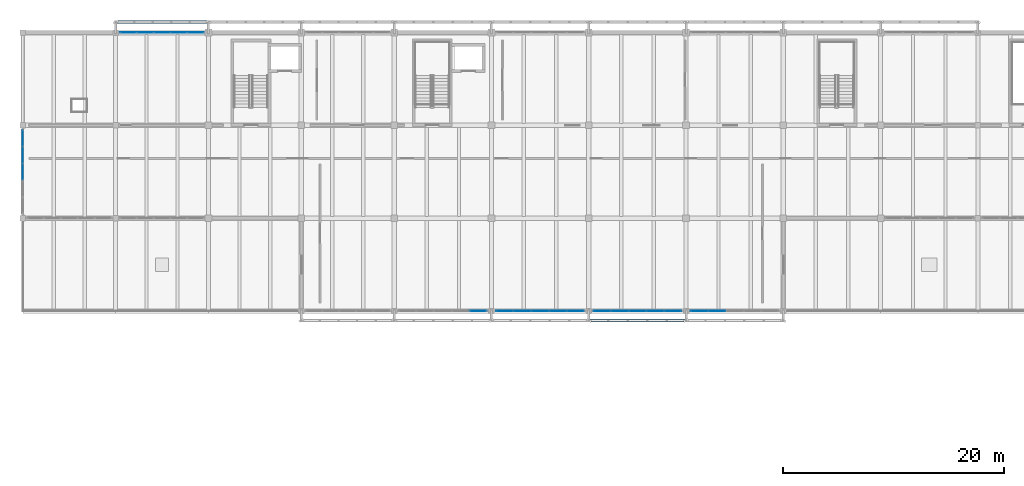
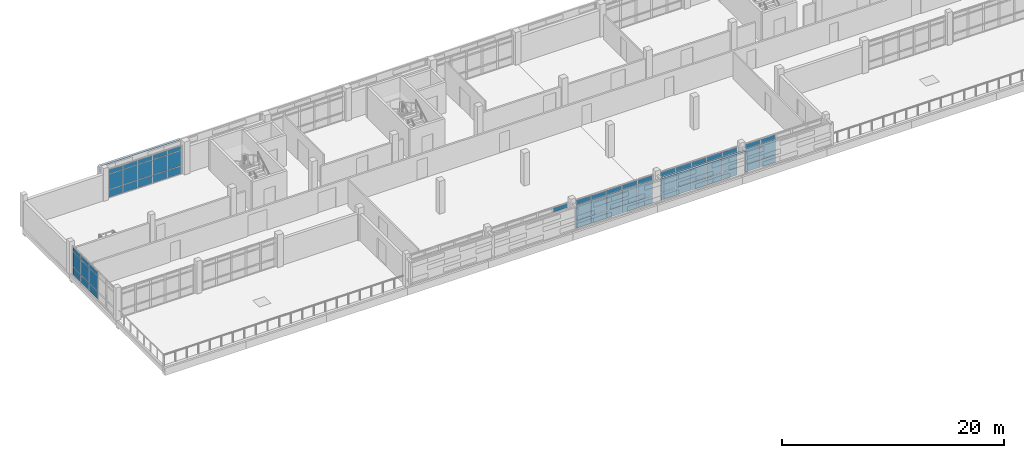
# One storey, part 38 of 50: 63 plates, 6 elements without a shape of their own.
"""IFC4 building model written with IfcOpenShell, lengths in metres."""

from ifc_helpers import new_model, si_unit, direction, frame, origin, origin_2d, place, context, subcontext, project, spatial, rectangle, extrude, material, layer, layer_set, type_object, element, aggregate, save


model = new_model("IFC4")

# Units and contexts
model_context = context("Model", 3, precision=1e-05, world=origin(), true_north=direction((0.0, 1.0)))
body_context = subcontext(model_context, "Body", "Model", "MODEL_VIEW")
ifc_project = project(units=[si_unit("LENGTHUNIT", "METRE"), si_unit("AREAUNIT", "SQUARE_METRE"), si_unit("VOLUMEUNIT", "CUBIC_METRE"), si_unit("PLANEANGLEUNIT", "RADIAN"), si_unit("MASSUNIT", "GRAM", prefix="KILO")], contexts=[model_context])

# Site, building, storey
site_placement = place(None, origin())
site = spatial("IfcSite", under=ifc_project, at=site_placement, CompositionType="ELEMENT")
building_placement = place(site_placement, origin())
building = spatial("IfcBuilding", under=site, at=building_placement, Name="Cinderway Yard Community Centre", CompositionType="ELEMENT")
storey_placement = place(building_placement, frame((0.0, 0.0, 12.89990234375)))
storey = spatial("IfcBuildingStorey", under=building, at=storey_placement, Name="L03", CompositionType="ELEMENT", Elevation=12.89990234375)

# Curtain wall, plates
ifc_material_1 = material(Name="Aluminium 6063-T6", Category="aluminium")
curtain_wall_type_1 = type_object("IfcCurtainWallType", Name="ENV-CW-TYPE-32", PredefinedType="USERDEFINED", material=ifc_material_1)
curtain_wall_1_placement = place(storey_placement, origin())
curtain_wall_1 = element("IfcCurtainWall", 1, at=curtain_wall_1_placement, inside=storey, type_object=curtain_wall_type_1, Name="V4 West End Curtain Wall ENV-CW-L03-ST-0174", ObjectType="GLAZED CURTAIN WALL", PredefinedType="USERDEFINED")
ifc_material_2 = material(Name="Laminated Low-E Glass", Category="glass")
ifc_layer_1 = layer(ifc_material_2, 0.028076171875, Name="Laminated Low-E Glass")
ifc_layer_set_1 = layer_set([ifc_layer_1], Name="Laminated Low-E Glass")
plate_type_1 = type_object("IfcPlateType", Name="ENV-CW-PAN-IGU28", PredefinedType="CURTAIN_PANEL", material=ifc_layer_set_1)
plate_1_placement = place(storey_placement, frame((41.60009765625, 102.60009765625, 0.06005859375), z_axis=(0.0, 0.0, 1.0), x_axis=(0.0, 1.0, 0.0)))
plate_1 = element("IfcPlate", 2, at=plate_1_placement, type_object=plate_type_1, Name="CW-32 panel 3.1", PredefinedType="CURTAIN_PANEL", context=body_context, shape_type="SweptSolid", body=[
    extrude(rectangle(XDim=1.468017578125, YDim=0.028076171875, at=origin_2d()), origin(), (0.0, 0.0, 1.0), 0.81005859375),
])
plate_2_placement = place(storey_placement, frame((41.60009765625, 102.60009765625, 0.93017578125), z_axis=(0.0, 0.0, 1.0), x_axis=(0.0, 1.0, 0.0)))
plate_2 = element("IfcPlate", 3, at=plate_2_placement, type_object=plate_type_1, Name="CW-32 panel 3.2", PredefinedType="CURTAIN_PANEL", context=body_context, shape_type="SweptSolid", body=[
    extrude(rectangle(XDim=1.468017578125, YDim=0.028076171875, at=origin_2d()), origin(), (0.0, 0.0, 1.0), 1.639892578125),
])
plate_3_placement = place(storey_placement, frame((41.60009765625, 102.60009765625, 2.630126953125), z_axis=(0.0, 0.0, 1.0), x_axis=(0.0, 1.0, 0.0)))
plate_3 = element("IfcPlate", 4, at=plate_3_placement, type_object=plate_type_1, Name="CW-32 panel 3.3", PredefinedType="CURTAIN_PANEL", context=body_context, shape_type="SweptSolid", body=[
    extrude(rectangle(XDim=1.468017578125, YDim=0.028076171875, at=origin_2d()), origin(), (0.0, 0.0, 1.0), 0.4599609375),
])
plate_4_placement = place(storey_placement, frame((41.60009765625, 104.1279296875, 0.06005859375), z_axis=(0.0, 0.0, 1.0), x_axis=(0.0, 1.0, 0.0)))
plate_4 = element("IfcPlate", 5, at=plate_4_placement, type_object=plate_type_1, Name="CW-32 panel 4.1", PredefinedType="CURTAIN_PANEL", context=body_context, shape_type="SweptSolid", body=[
    extrude(rectangle(XDim=1.468017578125, YDim=0.028076171875, at=origin_2d()), origin(), (0.0, 0.0, 1.0), 0.81005859375),
])
plate_5_placement = place(storey_placement, frame((41.60009765625, 104.1279296875, 0.93017578125), z_axis=(0.0, 0.0, 1.0), x_axis=(0.0, 1.0, 0.0)))
plate_5 = element("IfcPlate", 6, at=plate_5_placement, type_object=plate_type_1, Name="CW-32 panel 4.2", PredefinedType="CURTAIN_PANEL", context=body_context, shape_type="SweptSolid", body=[
    extrude(rectangle(XDim=1.468017578125, YDim=0.028076171875, at=origin_2d()), origin(), (0.0, 0.0, 1.0), 1.639892578125),
])
plate_6_placement = place(storey_placement, frame((41.60009765625, 104.1279296875, 2.630126953125), z_axis=(0.0, 0.0, 1.0), x_axis=(0.0, 1.0, 0.0)))
plate_6 = element("IfcPlate", 7, at=plate_6_placement, type_object=plate_type_1, Name="CW-32 panel 4.3", PredefinedType="CURTAIN_PANEL", context=body_context, shape_type="SweptSolid", body=[
    extrude(rectangle(XDim=1.468017578125, YDim=0.028076171875, at=origin_2d()), origin(), (0.0, 0.0, 1.0), 0.4599609375),
])
plate_7_placement = place(storey_placement, frame((41.60009765625, 105.64111328125, 0.06005859375), z_axis=(0.0, 0.0, 1.0), x_axis=(0.0, 1.0, 0.0)))
plate_7 = element("IfcPlate", 8, at=plate_7_placement, type_object=plate_type_1, Name="CW-32 panel 5.1", PredefinedType="CURTAIN_PANEL", context=body_context, shape_type="SweptSolid", body=[
    extrude(rectangle(XDim=1.43798828125, YDim=0.028076171875, at=origin_2d()), origin(), (0.0, 0.0, 1.0), 0.81005859375),
])
plate_8_placement = place(storey_placement, frame((41.60009765625, 105.64111328125, 0.93017578125), z_axis=(0.0, 0.0, 1.0), x_axis=(0.0, 1.0, 0.0)))
plate_8 = element("IfcPlate", 9, at=plate_8_placement, type_object=plate_type_1, Name="CW-32 panel 5.2", PredefinedType="CURTAIN_PANEL", context=body_context, shape_type="SweptSolid", body=[
    extrude(rectangle(XDim=1.43798828125, YDim=0.028076171875, at=origin_2d()), origin(), (0.0, 0.0, 1.0), 1.639892578125),
])
plate_9_placement = place(storey_placement, frame((41.60009765625, 105.64111328125, 2.630126953125), z_axis=(0.0, 0.0, 1.0), x_axis=(0.0, 1.0, 0.0)))
plate_9 = element("IfcPlate", 10, at=plate_9_placement, type_object=plate_type_1, Name="CW-32 panel 5.3", PredefinedType="CURTAIN_PANEL", context=body_context, shape_type="SweptSolid", body=[
    extrude(rectangle(XDim=1.43798828125, YDim=0.028076171875, at=origin_2d()), origin(), (0.0, 0.0, 1.0), 0.4599609375),
])
aggregate(curtain_wall_1, [plate_1, plate_2, plate_3, plate_4, plate_5, plate_6, plate_7, plate_8, plate_9])

curtain_wall_2_placement = place(storey_placement, origin())
curtain_wall_2 = element("IfcCurtainWall", 11, at=curtain_wall_2_placement, inside=storey, type_object=curtain_wall_type_1, Name="V4 Street Curtain Wall ENV-CW-L03-HS-0161", ObjectType="GLAZED CURTAIN WALL", PredefinedType="USERDEFINED")
ifc_layer_2 = layer(ifc_material_2, 0.031982421875, Name="Laminated Low-E Glass")
ifc_layer_set_2 = layer_set([ifc_layer_2], Name="Laminated Low-E Glass")
plate_type_2 = type_object("IfcPlateType", Name="ENV-CW-PAN-IGU32", PredefinedType="CURTAIN_PANEL", material=ifc_layer_set_2)
plate_10_placement = place(storey_placement, frame((51.158935546875, 115.199951171875, 0.06005859375), z_axis=(0.0, 0.0, 1.0), x_axis=(1.0, 0.0, 0.0)))
plate_10 = element("IfcPlate", 12, at=plate_10_placement, type_object=plate_type_2, Name="CW-32 panel 1.1", PredefinedType="CURTAIN_PANEL", context=body_context, shape_type="SweptSolid", body=[
    extrude(rectangle(XDim=1.43798828125, YDim=0.028076171875, at=origin_2d()), origin(), (0.0, 0.0, 1.0), 0.81005859375),
])
plate_11_placement = place(storey_placement, frame((51.158935546875, 115.199951171875, 0.93017578125), z_axis=(0.0, 0.0, 1.0), x_axis=(1.0, 0.0, 0.0)))
plate_11 = element("IfcPlate", 13, at=plate_11_placement, type_object=plate_type_2, Name="CW-32 panel 1.2", PredefinedType="CURTAIN_PANEL", context=body_context, shape_type="SweptSolid", body=[
    extrude(rectangle(XDim=1.43798828125, YDim=0.028076171875, at=origin_2d()), origin(), (0.0, 0.0, 1.0), 1.639892578125),
])
plate_12_placement = place(storey_placement, frame((51.158935546875, 115.199951171875, 2.630126953125), z_axis=(0.0, 0.0, 1.0), x_axis=(1.0, 0.0, 0.0)))
plate_12 = element("IfcPlate", 14, at=plate_12_placement, type_object=plate_type_2, Name="CW-32 panel 1.3", PredefinedType="CURTAIN_PANEL", context=body_context, shape_type="SweptSolid", body=[
    extrude(rectangle(XDim=1.43798828125, YDim=0.028076171875, at=origin_2d()), origin(), (0.0, 0.0, 1.0), 0.4599609375),
])
plate_13_placement = place(storey_placement, frame((52.672119140625, 115.199951171875, 0.06005859375), z_axis=(0.0, 0.0, 1.0), x_axis=(1.0, 0.0, 0.0)))
plate_13 = element("IfcPlate", 15, at=plate_13_placement, type_object=plate_type_2, Name="CW-32 panel 2.1", PredefinedType="CURTAIN_PANEL", context=body_context, shape_type="SweptSolid", body=[
    extrude(rectangle(XDim=1.468017578125, YDim=0.028076171875, at=origin_2d()), origin(), (0.0, 0.0, 1.0), 0.81005859375),
])
plate_14_placement = place(storey_placement, frame((52.672119140625, 115.199951171875, 0.93017578125), z_axis=(0.0, 0.0, 1.0), x_axis=(1.0, 0.0, 0.0)))
plate_14 = element("IfcPlate", 16, at=plate_14_placement, type_object=plate_type_2, Name="CW-32 panel 2.2", PredefinedType="CURTAIN_PANEL", context=body_context, shape_type="SweptSolid", body=[
    extrude(rectangle(XDim=1.468017578125, YDim=0.028076171875, at=origin_2d()), origin(), (0.0, 0.0, 1.0), 1.639892578125),
])
plate_15_placement = place(storey_placement, frame((52.672119140625, 115.199951171875, 2.630126953125), z_axis=(0.0, 0.0, 1.0), x_axis=(1.0, 0.0, 0.0)))
plate_15 = element("IfcPlate", 17, at=plate_15_placement, type_object=plate_type_2, Name="CW-32 panel 2.3", PredefinedType="CURTAIN_PANEL", context=body_context, shape_type="SweptSolid", body=[
    extrude(rectangle(XDim=1.468017578125, YDim=0.028076171875, at=origin_2d()), origin(), (0.0, 0.0, 1.0), 0.4599609375),
])
plate_16_placement = place(storey_placement, frame((54.199951171875, 115.199951171875, 0.06005859375), z_axis=(0.0, 0.0, 1.0), x_axis=(1.0, 0.0, 0.0)))
plate_16 = element("IfcPlate", 18, at=plate_16_placement, type_object=plate_type_2, Name="CW-32 panel 3.1", PredefinedType="CURTAIN_PANEL", context=body_context, shape_type="SweptSolid", body=[
    extrude(rectangle(XDim=1.468017578125, YDim=0.028076171875, at=origin_2d()), origin(), (0.0, 0.0, 1.0), 0.81005859375),
])
plate_17_placement = place(storey_placement, frame((54.199951171875, 115.199951171875, 0.93017578125), z_axis=(0.0, 0.0, 1.0), x_axis=(1.0, 0.0, 0.0)))
plate_17 = element("IfcPlate", 19, at=plate_17_placement, type_object=plate_type_2, Name="CW-32 panel 3.2", PredefinedType="CURTAIN_PANEL", context=body_context, shape_type="SweptSolid", body=[
    extrude(rectangle(XDim=1.468017578125, YDim=0.028076171875, at=origin_2d()), origin(), (0.0, 0.0, 1.0), 1.639892578125),
])
plate_18_placement = place(storey_placement, frame((54.199951171875, 115.199951171875, 2.630126953125), z_axis=(0.0, 0.0, 1.0), x_axis=(1.0, 0.0, 0.0)))
plate_18 = element("IfcPlate", 20, at=plate_18_placement, type_object=plate_type_2, Name="CW-32 panel 3.3", PredefinedType="CURTAIN_PANEL", context=body_context, shape_type="SweptSolid", body=[
    extrude(rectangle(XDim=1.468017578125, YDim=0.028076171875, at=origin_2d()), origin(), (0.0, 0.0, 1.0), 0.4599609375),
])
plate_19_placement = place(storey_placement, frame((55.72802734375, 115.199951171875, 0.06005859375), z_axis=(0.0, 0.0, 1.0), x_axis=(1.0, 0.0, 0.0)))
plate_19 = element("IfcPlate", 21, at=plate_19_placement, type_object=plate_type_2, Name="CW-32 panel 4.1", PredefinedType="CURTAIN_PANEL", context=body_context, shape_type="SweptSolid", body=[
    extrude(rectangle(XDim=1.468017578125, YDim=0.028076171875, at=origin_2d()), origin(), (0.0, 0.0, 1.0), 0.81005859375),
])
plate_20_placement = place(storey_placement, frame((55.72802734375, 115.199951171875, 0.93017578125), z_axis=(0.0, 0.0, 1.0), x_axis=(1.0, 0.0, 0.0)))
plate_20 = element("IfcPlate", 22, at=plate_20_placement, type_object=plate_type_2, Name="CW-32 panel 4.2", PredefinedType="CURTAIN_PANEL", context=body_context, shape_type="SweptSolid", body=[
    extrude(rectangle(XDim=1.468017578125, YDim=0.028076171875, at=origin_2d()), origin(), (0.0, 0.0, 1.0), 1.639892578125),
])
plate_21_placement = place(storey_placement, frame((55.72802734375, 115.199951171875, 2.630126953125), z_axis=(0.0, 0.0, 1.0), x_axis=(1.0, 0.0, 0.0)))
plate_21 = element("IfcPlate", 23, at=plate_21_placement, type_object=plate_type_2, Name="CW-32 panel 4.3", PredefinedType="CURTAIN_PANEL", context=body_context, shape_type="SweptSolid", body=[
    extrude(rectangle(XDim=1.468017578125, YDim=0.028076171875, at=origin_2d()), origin(), (0.0, 0.0, 1.0), 0.4599609375),
])
plate_22_placement = place(storey_placement, frame((57.240966796875, 115.199951171875, 0.06005859375), z_axis=(0.0, 0.0, 1.0), x_axis=(1.0, 0.0, 0.0)))
plate_22 = element("IfcPlate", 24, at=plate_22_placement, type_object=plate_type_2, Name="CW-32 panel 5.1", PredefinedType="CURTAIN_PANEL", context=body_context, shape_type="SweptSolid", body=[
    extrude(rectangle(XDim=1.43798828125, YDim=0.028076171875, at=origin_2d()), origin(), (0.0, 0.0, 1.0), 0.81005859375),
])
plate_23_placement = place(storey_placement, frame((57.240966796875, 115.199951171875, 0.93017578125), z_axis=(0.0, 0.0, 1.0), x_axis=(1.0, 0.0, 0.0)))
plate_23 = element("IfcPlate", 25, at=plate_23_placement, type_object=plate_type_2, Name="CW-32 panel 5.2", PredefinedType="CURTAIN_PANEL", context=body_context, shape_type="SweptSolid", body=[
    extrude(rectangle(XDim=1.43798828125, YDim=0.028076171875, at=origin_2d()), origin(), (0.0, 0.0, 1.0), 1.639892578125),
])
plate_24_placement = place(storey_placement, frame((57.240966796875, 115.199951171875, 2.630126953125), z_axis=(0.0, 0.0, 1.0), x_axis=(1.0, 0.0, 0.0)))
plate_24 = element("IfcPlate", 26, at=plate_24_placement, type_object=plate_type_2, Name="CW-32 panel 5.3", PredefinedType="CURTAIN_PANEL", context=body_context, shape_type="SweptSolid", body=[
    extrude(rectangle(XDim=1.43798828125, YDim=0.028076171875, at=origin_2d()), origin(), (0.0, 0.0, 1.0), 0.4599609375),
])
aggregate(curtain_wall_2, [plate_10, plate_11, plate_12, plate_13, plate_14, plate_15, plate_16, plate_17, plate_18, plate_19, plate_20, plate_21, plate_22, plate_23, plate_24])

# Curtain wall, plate
curtain_wall_type_2 = type_object("IfcCurtainWallType", Name="ENV-CW-TYPE-33", PredefinedType="USERDEFINED", material=ifc_material_1)
curtain_wall_3_placement = place(storey_placement, origin())
curtain_wall_3 = element("IfcCurtainWall", 27, at=curtain_wall_3_placement, inside=storey, type_object=curtain_wall_type_2, Name="V4 Courtyard Curtain Wall ENV-CW-L03-HS-0165", ObjectType="GLAZED CURTAIN WALL", PredefinedType="USERDEFINED")
plate_25_placement = place(storey_placement, frame((82.801025390625, 90.0, 2.630126953125), z_axis=(0.0, 0.0, 1.0), x_axis=(1.0, 0.0, 0.0)))
plate_25 = element("IfcPlate", 28, at=plate_25_placement, type_object=plate_type_2, Name="CW-33 panel 5.3", PredefinedType="CURTAIN_PANEL", context=body_context, shape_type="SweptSolid", body=[
    extrude(rectangle(XDim=1.51806640625, YDim=0.028076171875, at=origin_2d()), origin(), (0.0, 0.0, 1.0), 0.4599609375),
])
aggregate(curtain_wall_3, [plate_25])

# Curtain wall, plates
curtain_wall_4_placement = place(storey_placement, origin())
curtain_wall_4 = element("IfcCurtainWall", 29, at=curtain_wall_4_placement, inside=storey, type_object=curtain_wall_type_2, Name="V4 Courtyard Curtain Wall ENV-CW-L03-HS-0167", ObjectType="GLAZED CURTAIN WALL", PredefinedType="USERDEFINED")
plate_26_placement = place(storey_placement, frame((85.198974609375, 90.0, 0.06005859375), z_axis=(0.0, 0.0, 1.0), x_axis=(1.0, 0.0, 0.0)))
plate_26 = element("IfcPlate", 30, at=plate_26_placement, type_object=plate_type_2, Name="CW-33 panel 1.1", PredefinedType="CURTAIN_PANEL", context=body_context, shape_type="SweptSolid", body=[
    extrude(rectangle(XDim=1.51806640625, YDim=0.028076171875, at=origin_2d()), origin(), (0.0, 0.0, 1.0), 0.81005859375),
])
plate_27_placement = place(storey_placement, frame((85.198974609375, 90.0, 0.93017578125), z_axis=(0.0, 0.0, 1.0), x_axis=(1.0, 0.0, 0.0)))
plate_27 = element("IfcPlate", 31, at=plate_27_placement, type_object=plate_type_2, Name="CW-33 panel 1.2", PredefinedType="CURTAIN_PANEL", context=body_context, shape_type="SweptSolid", body=[
    extrude(rectangle(XDim=1.51806640625, YDim=0.028076171875, at=origin_2d()), origin(), (0.0, 0.0, 1.0), 1.639892578125),
])
plate_28_placement = place(storey_placement, frame((85.198974609375, 90.0, 2.630126953125), z_axis=(0.0, 0.0, 1.0), x_axis=(1.0, 0.0, 0.0)))
plate_28 = element("IfcPlate", 32, at=plate_28_placement, type_object=plate_type_2, Name="CW-33 panel 1.3", PredefinedType="CURTAIN_PANEL", context=body_context, shape_type="SweptSolid", body=[
    extrude(rectangle(XDim=1.51806640625, YDim=0.028076171875, at=origin_2d()), origin(), (0.0, 0.0, 1.0), 0.4599609375),
])
plate_29_placement = place(storey_placement, frame((86.7919921875, 90.0, 0.06005859375), z_axis=(0.0, 0.0, 1.0), x_axis=(1.0, 0.0, 0.0)))
plate_29 = element("IfcPlate", 33, at=plate_29_placement, type_object=plate_type_2, Name="CW-33 panel 2.1", PredefinedType="CURTAIN_PANEL", context=body_context, shape_type="SweptSolid", body=[
    extrude(rectangle(XDim=1.548095703125, YDim=0.028076171875, at=origin_2d()), origin(), (0.0, 0.0, 1.0), 0.81005859375),
])
plate_30_placement = place(storey_placement, frame((86.7919921875, 90.0, 0.93017578125), z_axis=(0.0, 0.0, 1.0), x_axis=(1.0, 0.0, 0.0)))
plate_30 = element("IfcPlate", 34, at=plate_30_placement, type_object=plate_type_2, Name="CW-33 panel 2.2", PredefinedType="CURTAIN_PANEL", context=body_context, shape_type="SweptSolid", body=[
    extrude(rectangle(XDim=1.548095703125, YDim=0.028076171875, at=origin_2d()), origin(), (0.0, 0.0, 1.0), 1.639892578125),
])
plate_31_placement = place(storey_placement, frame((86.7919921875, 90.0, 2.630126953125), z_axis=(0.0, 0.0, 1.0), x_axis=(1.0, 0.0, 0.0)))
plate_31 = element("IfcPlate", 35, at=plate_31_placement, type_object=plate_type_2, Name="CW-33 panel 2.3", PredefinedType="CURTAIN_PANEL", context=body_context, shape_type="SweptSolid", body=[
    extrude(rectangle(XDim=1.548095703125, YDim=0.028076171875, at=origin_2d()), origin(), (0.0, 0.0, 1.0), 0.4599609375),
])
plate_32_placement = place(storey_placement, frame((88.39990234375, 90.0, 0.06005859375), z_axis=(0.0, 0.0, 1.0), x_axis=(1.0, 0.0, 0.0)))
plate_32 = element("IfcPlate", 36, at=plate_32_placement, type_object=plate_type_2, Name="CW-33 panel 3.1", PredefinedType="CURTAIN_PANEL", context=body_context, shape_type="SweptSolid", body=[
    extrude(rectangle(XDim=1.548095703125, YDim=0.028076171875, at=origin_2d()), origin(), (0.0, 0.0, 1.0), 0.81005859375),
])
plate_33_placement = place(storey_placement, frame((88.39990234375, 90.0, 0.93017578125), z_axis=(0.0, 0.0, 1.0), x_axis=(1.0, 0.0, 0.0)))
plate_33 = element("IfcPlate", 37, at=plate_33_placement, type_object=plate_type_2, Name="CW-33 panel 3.2", PredefinedType="CURTAIN_PANEL", context=body_context, shape_type="SweptSolid", body=[
    extrude(rectangle(XDim=1.548095703125, YDim=0.028076171875, at=origin_2d()), origin(), (0.0, 0.0, 1.0), 1.639892578125),
])
plate_34_placement = place(storey_placement, frame((88.39990234375, 90.0, 2.630126953125), z_axis=(0.0, 0.0, 1.0), x_axis=(1.0, 0.0, 0.0)))
plate_34 = element("IfcPlate", 38, at=plate_34_placement, type_object=plate_type_2, Name="CW-33 panel 3.3", PredefinedType="CURTAIN_PANEL", context=body_context, shape_type="SweptSolid", body=[
    extrude(rectangle(XDim=1.548095703125, YDim=0.028076171875, at=origin_2d()), origin(), (0.0, 0.0, 1.0), 0.4599609375),
])
plate_35_placement = place(storey_placement, frame((90.008056640625, 90.0, 0.06005859375), z_axis=(0.0, 0.0, 1.0), x_axis=(1.0, 0.0, 0.0)))
plate_35 = element("IfcPlate", 39, at=plate_35_placement, type_object=plate_type_2, Name="CW-33 panel 4.1", PredefinedType="CURTAIN_PANEL", context=body_context, shape_type="SweptSolid", body=[
    extrude(rectangle(XDim=1.548095703125, YDim=0.028076171875, at=origin_2d()), origin(), (0.0, 0.0, 1.0), 0.81005859375),
])
plate_36_placement = place(storey_placement, frame((90.008056640625, 90.0, 0.93017578125), z_axis=(0.0, 0.0, 1.0), x_axis=(1.0, 0.0, 0.0)))
plate_36 = element("IfcPlate", 40, at=plate_36_placement, type_object=plate_type_2, Name="CW-33 panel 4.2", PredefinedType="CURTAIN_PANEL", context=body_context, shape_type="SweptSolid", body=[
    extrude(rectangle(XDim=1.548095703125, YDim=0.028076171875, at=origin_2d()), origin(), (0.0, 0.0, 1.0), 1.639892578125),
])
plate_37_placement = place(storey_placement, frame((90.008056640625, 90.0, 2.630126953125), z_axis=(0.0, 0.0, 1.0), x_axis=(1.0, 0.0, 0.0)))
plate_37 = element("IfcPlate", 41, at=plate_37_placement, type_object=plate_type_2, Name="CW-33 panel 4.3", PredefinedType="CURTAIN_PANEL", context=body_context, shape_type="SweptSolid", body=[
    extrude(rectangle(XDim=1.548095703125, YDim=0.028076171875, at=origin_2d()), origin(), (0.0, 0.0, 1.0), 0.4599609375),
])
plate_38_placement = place(storey_placement, frame((91.60107421875, 90.0, 0.06005859375), z_axis=(0.0, 0.0, 1.0), x_axis=(1.0, 0.0, 0.0)))
plate_38 = element("IfcPlate", 42, at=plate_38_placement, type_object=plate_type_2, Name="CW-33 panel 5.1", PredefinedType="CURTAIN_PANEL", context=body_context, shape_type="SweptSolid", body=[
    extrude(rectangle(XDim=1.51806640625, YDim=0.028076171875, at=origin_2d()), origin(), (0.0, 0.0, 1.0), 0.81005859375),
])
plate_39_placement = place(storey_placement, frame((91.60107421875, 90.0, 0.93017578125), z_axis=(0.0, 0.0, 1.0), x_axis=(1.0, 0.0, 0.0)))
plate_39 = element("IfcPlate", 43, at=plate_39_placement, type_object=plate_type_2, Name="CW-33 panel 5.2", PredefinedType="CURTAIN_PANEL", context=body_context, shape_type="SweptSolid", body=[
    extrude(rectangle(XDim=1.51806640625, YDim=0.028076171875, at=origin_2d()), origin(), (0.0, 0.0, 1.0), 1.639892578125),
])
plate_40_placement = place(storey_placement, frame((91.60107421875, 90.0, 2.630126953125), z_axis=(0.0, 0.0, 1.0), x_axis=(1.0, 0.0, 0.0)))
plate_40 = element("IfcPlate", 44, at=plate_40_placement, type_object=plate_type_2, Name="CW-33 panel 5.3", PredefinedType="CURTAIN_PANEL", context=body_context, shape_type="SweptSolid", body=[
    extrude(rectangle(XDim=1.51806640625, YDim=0.028076171875, at=origin_2d()), origin(), (0.0, 0.0, 1.0), 0.4599609375),
])
aggregate(curtain_wall_4, [plate_26, plate_27, plate_28, plate_29, plate_30, plate_31, plate_32, plate_33, plate_34, plate_35, plate_36, plate_37, plate_38, plate_39, plate_40])

curtain_wall_5_placement = place(storey_placement, origin())
curtain_wall_5 = element("IfcCurtainWall", 45, at=curtain_wall_5_placement, inside=storey, type_object=curtain_wall_type_2, Name="V4 Courtyard Curtain Wall ENV-CW-L03-HS-0168", ObjectType="GLAZED CURTAIN WALL", PredefinedType="USERDEFINED")
plate_41_placement = place(storey_placement, frame((93.9990234375, 90.0, 0.06005859375), z_axis=(0.0, 0.0, 1.0), x_axis=(1.0, 0.0, 0.0)))
plate_41 = element("IfcPlate", 46, at=plate_41_placement, type_object=plate_type_2, Name="CW-33 panel 1.1", PredefinedType="CURTAIN_PANEL", context=body_context, shape_type="SweptSolid", body=[
    extrude(rectangle(XDim=1.51806640625, YDim=0.028076171875, at=origin_2d()), origin(), (0.0, 0.0, 1.0), 0.81005859375),
])
plate_42_placement = place(storey_placement, frame((93.9990234375, 90.0, 0.93017578125), z_axis=(0.0, 0.0, 1.0), x_axis=(1.0, 0.0, 0.0)))
plate_42 = element("IfcPlate", 47, at=plate_42_placement, type_object=plate_type_2, Name="CW-33 panel 1.2", PredefinedType="CURTAIN_PANEL", context=body_context, shape_type="SweptSolid", body=[
    extrude(rectangle(XDim=1.51806640625, YDim=0.028076171875, at=origin_2d()), origin(), (0.0, 0.0, 1.0), 1.639892578125),
])
plate_43_placement = place(storey_placement, frame((93.9990234375, 90.0, 2.630126953125), z_axis=(0.0, 0.0, 1.0), x_axis=(1.0, 0.0, 0.0)))
plate_43 = element("IfcPlate", 48, at=plate_43_placement, type_object=plate_type_2, Name="CW-33 panel 1.3", PredefinedType="CURTAIN_PANEL", context=body_context, shape_type="SweptSolid", body=[
    extrude(rectangle(XDim=1.51806640625, YDim=0.028076171875, at=origin_2d()), origin(), (0.0, 0.0, 1.0), 0.4599609375),
])
plate_44_placement = place(storey_placement, frame((95.592041015625, 90.0, 0.06005859375), z_axis=(0.0, 0.0, 1.0), x_axis=(1.0, 0.0, 0.0)))
plate_44 = element("IfcPlate", 49, at=plate_44_placement, type_object=plate_type_2, Name="CW-33 panel 2.1", PredefinedType="CURTAIN_PANEL", context=body_context, shape_type="SweptSolid", body=[
    extrude(rectangle(XDim=1.548095703125, YDim=0.028076171875, at=origin_2d()), origin(), (0.0, 0.0, 1.0), 0.81005859375),
])
plate_45_placement = place(storey_placement, frame((95.592041015625, 90.0, 0.93017578125), z_axis=(0.0, 0.0, 1.0), x_axis=(1.0, 0.0, 0.0)))
plate_45 = element("IfcPlate", 50, at=plate_45_placement, type_object=plate_type_2, Name="CW-33 panel 2.2", PredefinedType="CURTAIN_PANEL", context=body_context, shape_type="SweptSolid", body=[
    extrude(rectangle(XDim=1.548095703125, YDim=0.028076171875, at=origin_2d()), origin(), (0.0, 0.0, 1.0), 1.639892578125),
])
plate_46_placement = place(storey_placement, frame((95.592041015625, 90.0, 2.630126953125), z_axis=(0.0, 0.0, 1.0), x_axis=(1.0, 0.0, 0.0)))
plate_46 = element("IfcPlate", 51, at=plate_46_placement, type_object=plate_type_2, Name="CW-33 panel 2.3", PredefinedType="CURTAIN_PANEL", context=body_context, shape_type="SweptSolid", body=[
    extrude(rectangle(XDim=1.548095703125, YDim=0.028076171875, at=origin_2d()), origin(), (0.0, 0.0, 1.0), 0.4599609375),
])
plate_47_placement = place(storey_placement, frame((97.199951171875, 90.0, 0.06005859375), z_axis=(0.0, 0.0, 1.0), x_axis=(1.0, 0.0, 0.0)))
plate_47 = element("IfcPlate", 52, at=plate_47_placement, type_object=plate_type_2, Name="CW-33 panel 3.1", PredefinedType="CURTAIN_PANEL", context=body_context, shape_type="SweptSolid", body=[
    extrude(rectangle(XDim=1.548095703125, YDim=0.028076171875, at=origin_2d()), origin(), (0.0, 0.0, 1.0), 0.81005859375),
])
plate_48_placement = place(storey_placement, frame((97.199951171875, 90.0, 0.93017578125), z_axis=(0.0, 0.0, 1.0), x_axis=(1.0, 0.0, 0.0)))
plate_48 = element("IfcPlate", 53, at=plate_48_placement, type_object=plate_type_2, Name="CW-33 panel 3.2", PredefinedType="CURTAIN_PANEL", context=body_context, shape_type="SweptSolid", body=[
    extrude(rectangle(XDim=1.548095703125, YDim=0.028076171875, at=origin_2d()), origin(), (0.0, 0.0, 1.0), 1.639892578125),
])
plate_49_placement = place(storey_placement, frame((97.199951171875, 90.0, 2.630126953125), z_axis=(0.0, 0.0, 1.0), x_axis=(1.0, 0.0, 0.0)))
plate_49 = element("IfcPlate", 54, at=plate_49_placement, type_object=plate_type_2, Name="CW-33 panel 3.3", PredefinedType="CURTAIN_PANEL", context=body_context, shape_type="SweptSolid", body=[
    extrude(rectangle(XDim=1.548095703125, YDim=0.028076171875, at=origin_2d()), origin(), (0.0, 0.0, 1.0), 0.4599609375),
])
plate_50_placement = place(storey_placement, frame((98.80810546875, 90.0, 0.06005859375), z_axis=(0.0, 0.0, 1.0), x_axis=(1.0, 0.0, 0.0)))
plate_50 = element("IfcPlate", 55, at=plate_50_placement, type_object=plate_type_2, Name="CW-33 panel 4.1", PredefinedType="CURTAIN_PANEL", context=body_context, shape_type="SweptSolid", body=[
    extrude(rectangle(XDim=1.548095703125, YDim=0.028076171875, at=origin_2d()), origin(), (0.0, 0.0, 1.0), 0.81005859375),
])
plate_51_placement = place(storey_placement, frame((98.80810546875, 90.0, 0.93017578125), z_axis=(0.0, 0.0, 1.0), x_axis=(1.0, 0.0, 0.0)))
plate_51 = element("IfcPlate", 56, at=plate_51_placement, type_object=plate_type_2, Name="CW-33 panel 4.2", PredefinedType="CURTAIN_PANEL", context=body_context, shape_type="SweptSolid", body=[
    extrude(rectangle(XDim=1.548095703125, YDim=0.028076171875, at=origin_2d()), origin(), (0.0, 0.0, 1.0), 1.639892578125),
])
plate_52_placement = place(storey_placement, frame((98.80810546875, 90.0, 2.630126953125), z_axis=(0.0, 0.0, 1.0), x_axis=(1.0, 0.0, 0.0)))
plate_52 = element("IfcPlate", 57, at=plate_52_placement, type_object=plate_type_2, Name="CW-33 panel 4.3", PredefinedType="CURTAIN_PANEL", context=body_context, shape_type="SweptSolid", body=[
    extrude(rectangle(XDim=1.548095703125, YDim=0.028076171875, at=origin_2d()), origin(), (0.0, 0.0, 1.0), 0.4599609375),
])
plate_53_placement = place(storey_placement, frame((100.40087890625, 90.0, 0.06005859375), z_axis=(0.0, 0.0, 1.0), x_axis=(1.0, 0.0, 0.0)))
plate_53 = element("IfcPlate", 58, at=plate_53_placement, type_object=plate_type_2, Name="CW-33 panel 5.1", PredefinedType="CURTAIN_PANEL", context=body_context, shape_type="SweptSolid", body=[
    extrude(rectangle(XDim=1.51806640625, YDim=0.028076171875, at=origin_2d()), origin(), (0.0, 0.0, 1.0), 0.81005859375),
])
plate_54_placement = place(storey_placement, frame((100.40087890625, 90.0, 0.93017578125), z_axis=(0.0, 0.0, 1.0), x_axis=(1.0, 0.0, 0.0)))
plate_54 = element("IfcPlate", 59, at=plate_54_placement, type_object=plate_type_2, Name="CW-33 panel 5.2", PredefinedType="CURTAIN_PANEL", context=body_context, shape_type="SweptSolid", body=[
    extrude(rectangle(XDim=1.51806640625, YDim=0.028076171875, at=origin_2d()), origin(), (0.0, 0.0, 1.0), 1.639892578125),
])
plate_55_placement = place(storey_placement, frame((100.40087890625, 90.0, 2.630126953125), z_axis=(0.0, 0.0, 1.0), x_axis=(1.0, 0.0, 0.0)))
plate_55 = element("IfcPlate", 60, at=plate_55_placement, type_object=plate_type_2, Name="CW-33 panel 5.3", PredefinedType="CURTAIN_PANEL", context=body_context, shape_type="SweptSolid", body=[
    extrude(rectangle(XDim=1.51806640625, YDim=0.028076171875, at=origin_2d()), origin(), (0.0, 0.0, 1.0), 0.4599609375),
])
aggregate(curtain_wall_5, [plate_41, plate_42, plate_43, plate_44, plate_45, plate_46, plate_47, plate_48, plate_49, plate_50, plate_51, plate_52, plate_53, plate_54, plate_55])

curtain_wall_6_placement = place(storey_placement, origin())
curtain_wall_6 = element("IfcCurtainWall", 61, at=curtain_wall_6_placement, inside=storey, type_object=curtain_wall_type_2, Name="V4 Courtyard Curtain Wall ENV-CW-L03-HS-0170", ObjectType="GLAZED CURTAIN WALL", PredefinedType="USERDEFINED")
plate_56_placement = place(storey_placement, frame((102.799072265625, 90.0, 0.06005859375), z_axis=(0.0, 0.0, 1.0), x_axis=(1.0, 0.0, 0.0)))
plate_56 = element("IfcPlate", 62, at=plate_56_placement, type_object=plate_type_2, Name="CW-33 panel 1.1", PredefinedType="CURTAIN_PANEL", context=body_context, shape_type="SweptSolid", body=[
    extrude(rectangle(XDim=1.51806640625, YDim=0.028076171875, at=origin_2d()), origin(), (0.0, 0.0, 1.0), 0.81005859375),
])
plate_57_placement = place(storey_placement, frame((102.799072265625, 90.0, 0.93017578125), z_axis=(0.0, 0.0, 1.0), x_axis=(1.0, 0.0, 0.0)))
plate_57 = element("IfcPlate", 63, at=plate_57_placement, type_object=plate_type_2, Name="CW-33 panel 1.2", PredefinedType="CURTAIN_PANEL", context=body_context, shape_type="SweptSolid", body=[
    extrude(rectangle(XDim=1.51806640625, YDim=0.028076171875, at=origin_2d()), origin(), (0.0, 0.0, 1.0), 1.639892578125),
])
plate_58_placement = place(storey_placement, frame((102.799072265625, 90.0, 2.630126953125), z_axis=(0.0, 0.0, 1.0), x_axis=(1.0, 0.0, 0.0)))
plate_58 = element("IfcPlate", 64, at=plate_58_placement, type_object=plate_type_2, Name="CW-33 panel 1.3", PredefinedType="CURTAIN_PANEL", context=body_context, shape_type="SweptSolid", body=[
    extrude(rectangle(XDim=1.51806640625, YDim=0.028076171875, at=origin_2d()), origin(), (0.0, 0.0, 1.0), 0.4599609375),
])
plate_59_placement = place(storey_placement, frame((104.39208984375, 90.0, 0.06005859375), z_axis=(0.0, 0.0, 1.0), x_axis=(1.0, 0.0, 0.0)))
plate_59 = element("IfcPlate", 65, at=plate_59_placement, type_object=plate_type_2, Name="CW-33 panel 2.1", PredefinedType="CURTAIN_PANEL", context=body_context, shape_type="SweptSolid", body=[
    extrude(rectangle(XDim=1.548095703125, YDim=0.028076171875, at=origin_2d()), origin(), (0.0, 0.0, 1.0), 0.81005859375),
])
plate_60_placement = place(storey_placement, frame((104.39208984375, 90.0, 0.93017578125), z_axis=(0.0, 0.0, 1.0), x_axis=(1.0, 0.0, 0.0)))
plate_60 = element("IfcPlate", 66, at=plate_60_placement, type_object=plate_type_2, Name="CW-33 panel 2.2", PredefinedType="CURTAIN_PANEL", context=body_context, shape_type="SweptSolid", body=[
    extrude(rectangle(XDim=1.548095703125, YDim=0.028076171875, at=origin_2d()), origin(), (0.0, 0.0, 1.0), 1.639892578125),
])
plate_61_placement = place(storey_placement, frame((104.39208984375, 90.0, 2.630126953125), z_axis=(0.0, 0.0, 1.0), x_axis=(1.0, 0.0, 0.0)))
plate_61 = element("IfcPlate", 67, at=plate_61_placement, type_object=plate_type_2, Name="CW-33 panel 2.3", PredefinedType="CURTAIN_PANEL", context=body_context, shape_type="SweptSolid", body=[
    extrude(rectangle(XDim=1.548095703125, YDim=0.028076171875, at=origin_2d()), origin(), (0.0, 0.0, 1.0), 0.4599609375),
])
aggregate(curtain_wall_6, [plate_56, plate_57, plate_58, plate_59, plate_60, plate_61])

# Plates
ifc_layer_3 = layer(ifc_material_1, 0.01611328125, Name="Aluminium 6063-T6")
ifc_layer_set_3 = layer_set([ifc_layer_3], Name="Aluminium 6063-T6")
plate_type_3 = type_object("IfcPlateType", Name="ENV-PLT-FASCIA16", PredefinedType="USERDEFINED", material=ifc_layer_set_3)
plate_62_placement = place(storey_placement, frame((54.199951171875, 116.14990234375, 3.112060546875), z_axis=(0.0, 0.0, 1.0), x_axis=(1.0, 0.0, 0.0)))
element("IfcPlate", 68, at=plate_62_placement, inside=storey, type_object=plate_type_3, Name="Screen coping fascia 0024", ObjectType="FASCIA PLATE", PredefinedType="USERDEFINED", context=body_context, shape_type="SweptSolid", body=[
    extrude(rectangle(XDim=8.300048828125, YDim=0.260009765625, at=origin_2d()), origin(), (0.0, 0.0, 1.0), 0.01611328125),
])
plate_63_placement = place(storey_placement, frame((97.199951171875, 89.14990234375, 3.112060546875), z_axis=(0.0, 0.0, 1.0), x_axis=(-1.0, 0.0, 0.0)))
element("IfcPlate", 69, at=plate_63_placement, inside=storey, type_object=plate_type_3, Name="Screen coping fascia 0066", ObjectType="FASCIA PLATE", PredefinedType="USERDEFINED", context=body_context, shape_type="SweptSolid", body=[
    extrude(rectangle(XDim=8.699951171875, YDim=0.260009765625, at=origin_2d()), origin(), (0.0, 0.0, 1.0), 0.01611328125),
])

save(model, "model.ifc")
